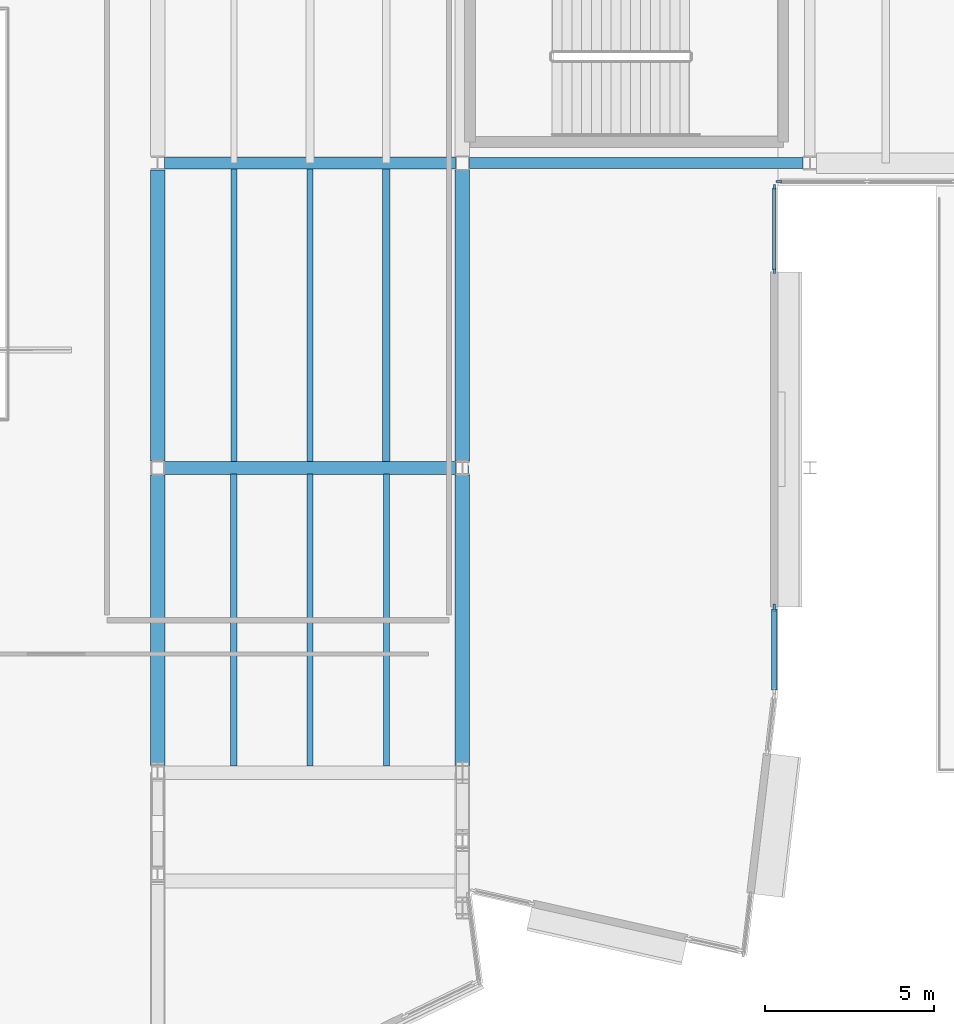
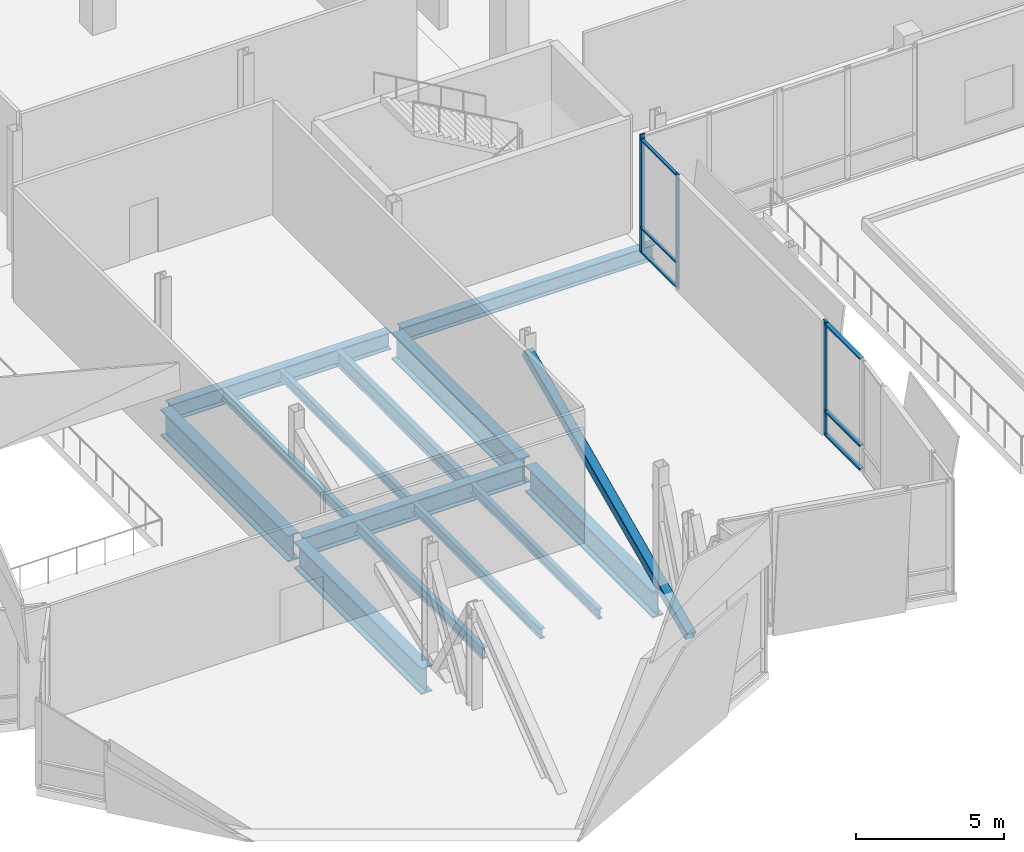
# One storey, part 12 of 60: 13 beams, 11 members, 3 elements without a shape of their own.
"""IFC4 building model written with IfcOpenShell, lengths in metres."""

from ifc_helpers import new_model, si_unit, direction, frame, origin, origin_2d, place, context, subcontext, project, spatial, rectangle, hollow_rectangle, i_section, extrude, material, material_profile, profile_set, type_object, element, aggregate, save


model = new_model("IFC4")

# Units and contexts
model_context = context("Model", 3, precision=1e-05, world=origin(), true_north=direction((0.0, 1.0)))
body_context = subcontext(model_context, "Body", "Model", "MODEL_VIEW")
ifc_project = project(units=[si_unit("LENGTHUNIT", "METRE"), si_unit("AREAUNIT", "SQUARE_METRE"), si_unit("VOLUMEUNIT", "CUBIC_METRE"), si_unit("PLANEANGLEUNIT", "RADIAN"), si_unit("MASSUNIT", "GRAM", prefix="KILO")], contexts=[model_context])

# Site, building, storey
site_placement = place(None, origin())
site = spatial("IfcSite", under=ifc_project, at=site_placement, CompositionType="ELEMENT")
building_placement = place(site_placement, origin())
building = spatial("IfcBuilding", under=site, at=building_placement, Name="Trimount Lyric Opera House", CompositionType="ELEMENT")
storey_placement = place(building_placement, frame((0.0, 0.0, 15.0)))
storey = spatial("IfcBuildingStorey", under=building, at=storey_placement, Name="L03", CompositionType="ELEMENT", Elevation=15.0)

# Beams
ifc_material_1 = material(Name="Steel ASTM A992 Grade 50", Category="steel")
ifc_material_profile_1 = material_profile(ifc_material_1, i_section(OverallWidth=0.382080078125, OverallDepth=0.779052734375, WebThickness=0.01806640625, FlangeThickness=0.0302734375, FilletRadius=0.01904296875, at=origin_2d()), Name="W30X191")
ifc_profile_set_1 = profile_set([ifc_material_profile_1], Name="Steel ASTM A992 Grade 50")
beam_type_1 = type_object("IfcBeamType", Name="B-06", PredefinedType="BEAM", material=ifc_profile_set_1)
beam_1_placement = place(storey_placement, frame((45.203125, 35.0, -0.714599609375), z_axis=(1.0, 0.0, 0.0), x_axis=(0.0, 1.0, 0.0)))
element("IfcBeam", 1, at=beam_1_placement, inside=storey, type_object=beam_type_1, Name="L03 girder X-0941", PredefinedType="BEAM", context=body_context, shape_type="SweptSolid", body=[
    extrude(i_section(OverallWidth=0.382080078125, OverallDepth=0.779052734375, WebThickness=0.01806640625, FlangeThickness=0.0302734375, FilletRadius=0.01904296875, at=origin_2d()), origin(), (0.0, 0.0, 1.0), 8.593994140625),
])
ifc_material_2 = material(Name="Steel ASTM A992 Grade 50", Category="steel")
ifc_material_profile_2 = material_profile(ifc_material_2, i_section(OverallWidth=0.35595703125, OverallDepth=0.700927734375, WebThickness=0.016845703125, FlangeThickness=0.02734375, FilletRadius=0.01806640625, at=origin_2d()), Name="W27X161")
ifc_profile_set_2 = profile_set([ifc_material_profile_2], Name="Steel ASTM A992 Grade 50")
beam_type_2 = type_object("IfcBeamType", Name="B-08", PredefinedType="BEAM", material=ifc_profile_set_2)
beam_2_placement = place(storey_placement, frame((45.202880859375, 44.0, -0.675537109375), z_axis=(1.0, 0.0, 0.0), x_axis=(0.0, 1.0, 0.0)))
element("IfcBeam", 2, at=beam_2_placement, inside=storey, type_object=beam_type_2, Name="L03 girder X-0942", PredefinedType="BEAM", context=body_context, shape_type="SweptSolid", body=[
    extrude(i_section(OverallWidth=0.35595703125, OverallDepth=0.700927734375, WebThickness=0.016845703125, FlangeThickness=0.02734375, FilletRadius=0.01806640625, at=origin_2d()), origin(), (0.0, 0.0, 1.0), 8.593994140625),
])
ifc_material_3 = material(Name="Steel ASTM A992 Grade 50", Category="steel")
ifc_material_profile_3 = material_profile(ifc_material_3, i_section(OverallWidth=0.327880859375, OverallDepth=0.626953125, WebThickness=0.0166015625, FlangeThickness=0.027587890625, FilletRadius=0.01611328125, at=origin_2d()), Name="W24X146")
ifc_profile_set_3 = profile_set([ifc_material_profile_3], Name="Steel ASTM A992 Grade 50")
beam_type_3 = type_object("IfcBeamType", Name="B-10", PredefinedType="BEAM", material=ifc_profile_set_3)
beam_3_placement = place(storey_placement, frame((54.203125, 44.0, -0.638427734375), z_axis=(1.0, 0.0, 0.0), x_axis=(0.0, 1.0, 0.0)))
element("IfcBeam", 3, at=beam_3_placement, inside=storey, type_object=beam_type_3, Name="L03 girder X-0943", PredefinedType="BEAM", context=body_context, shape_type="SweptSolid", body=[
    extrude(i_section(OverallWidth=0.327880859375, OverallDepth=0.626953125, WebThickness=0.0166015625, FlangeThickness=0.027587890625, FilletRadius=0.01611328125, at=origin_2d()), origin(), (0.0, 0.0, 1.0), 9.853759765625),
])

# Member
ifc_material_4 = material(Name="Steel ASTM A500 Grade C", Category="steel")
ifc_material_profile_4 = material_profile(ifc_material_4, hollow_rectangle(XDim=0.355712890625, YDim=0.355712890625, WallThickness=0.014892578125, InnerFilletRadius=0.01513671875, OuterFilletRadius=0.030029296875, at=origin_2d()), Name="HSS355.6X355.6X15.9")
ifc_profile_set_4 = profile_set([ifc_material_profile_4], Name="Steel ASTM A500 Grade C")
member_type_1 = type_object("IfcMemberType", Name="BR-01", PredefinedType="BRACE", material=ifc_profile_set_4)
member_1_placement = place(storey_placement, frame((54.0, 35.0, 4.154052734375), z_axis=(0.0, -0.909581532089, -0.415525494384), x_axis=(1.0, 0.0, 0.0)))
element("IfcMember", 4, at=member_1_placement, inside=storey, type_object=member_type_1, Name="L03 crystal truss 3 back-span tie-back brace", PredefinedType="BRACE", context=body_context, shape_type="SweptSolid", body=[
    extrude(hollow_rectangle(XDim=0.355712890625, YDim=0.355712890625, WallThickness=0.014892578125, InnerFilletRadius=0.01513671875, OuterFilletRadius=0.030029296875, at=origin_2d()), origin(), (0.0, 0.0, 1.0), 12.093505859375),
])

# Beams
ifc_material_5 = material(Name="Steel ASTM A992 Grade 50", Category="steel")
ifc_material_profile_5 = material_profile(ifc_material_5, i_section(OverallWidth=0.22802734375, OverallDepth=0.60205078125, WebThickness=0.010498046875, FlangeThickness=0.014892578125, FilletRadius=0.012939453125, at=origin_2d()), Name="W24X68")
ifc_profile_set_5 = profile_set([ifc_material_profile_5], Name="Steel ASTM A992 Grade 50")
beam_type_4 = type_object("IfcBeamType", Name="J-01", PredefinedType="BEAM", material=ifc_profile_set_5)
beam_4_placement = place(storey_placement, frame((51.75, 35.18701171875, -0.6259765625), z_axis=(0.0, 1.0, 0.0), x_axis=(-1.0, 0.0, 0.0)))
element("IfcBeam", 5, at=beam_4_placement, inside=storey, type_object=beam_type_4, Name="L03 composite floor joist 1034", PredefinedType="BEAM", context=body_context, shape_type="SweptSolid", body=[
    extrude(i_section(OverallWidth=0.22802734375, OverallDepth=0.60205078125, WebThickness=0.010498046875, FlangeThickness=0.014892578125, FilletRadius=0.012939453125, at=origin_2d()), origin(), (0.0, 0.0, 1.0), 8.638916015625),
])
ifc_material_6 = material(Name="Steel ASTM A992 Grade 50", Category="steel")
ifc_material_profile_6 = material_profile(ifc_material_6, i_section(OverallWidth=0.19091796875, OverallDepth=0.45703125, WebThickness=0.009033203125, FlangeThickness=0.014404296875, FilletRadius=0.010986328125, at=origin_2d()), Name="W18X50")
ifc_profile_set_6 = profile_set([ifc_material_profile_6], Name="Steel ASTM A992 Grade 50")
beam_type_5 = type_object("IfcBeamType", Name="J-04", PredefinedType="BEAM", material=ifc_profile_set_6)
beam_5_placement = place(storey_placement, frame((47.25, 26.196533203125, -0.553466796875), z_axis=(0.0, 1.0, 0.0), x_axis=(-1.0, 0.0, 0.0)))
element("IfcBeam", 6, at=beam_5_placement, inside=storey, type_object=beam_type_5, Name="L03 composite floor joist 1029", PredefinedType="BEAM", context=body_context, shape_type="SweptSolid", body=[
    extrude(i_section(OverallWidth=0.19091796875, OverallDepth=0.45703125, WebThickness=0.009033203125, FlangeThickness=0.014404296875, FilletRadius=0.010986328125, at=origin_2d()), origin(), (0.0, 0.0, 1.0), 8.616455078125),
])
ifc_material_7 = material(Name="Steel ASTM A992 Grade 50", Category="steel")
ifc_material_profile_7 = material_profile(ifc_material_7, i_section(OverallWidth=0.180908203125, OverallDepth=0.4169921875, WebThickness=0.010986328125, FlangeThickness=0.018310546875, FilletRadius=0.010986328125, at=origin_2d()), Name="W16X57")
ifc_profile_set_7 = profile_set([ifc_material_profile_7], Name="Steel ASTM A992 Grade 50")
beam_type_6 = type_object("IfcBeamType", Name="J-05", PredefinedType="BEAM", material=ifc_profile_set_7)
beam_6_placement = place(storey_placement, frame((49.5, 26.196533203125, -0.533447265625), z_axis=(0.0, 1.0, 0.0), x_axis=(-1.0, 0.0, 0.0)))
element("IfcBeam", 7, at=beam_6_placement, inside=storey, type_object=beam_type_6, Name="L03 composite floor joist 1030", PredefinedType="BEAM", context=body_context, shape_type="SweptSolid", body=[
    extrude(i_section(OverallWidth=0.180908203125, OverallDepth=0.4169921875, WebThickness=0.010986328125, FlangeThickness=0.018310546875, FilletRadius=0.010986328125, at=origin_2d()), origin(), (0.0, 0.0, 1.0), 8.616455078125),
])
beam_7_placement = place(storey_placement, frame((47.25, 35.18701171875, -0.533447265625), z_axis=(0.0, 1.0, 0.0), x_axis=(-1.0, 0.0, 0.0)))
element("IfcBeam", 8, at=beam_7_placement, inside=storey, type_object=beam_type_6, Name="L03 composite floor joist 1032", PredefinedType="BEAM", context=body_context, shape_type="SweptSolid", body=[
    extrude(i_section(OverallWidth=0.180908203125, OverallDepth=0.4169921875, WebThickness=0.010986328125, FlangeThickness=0.018310546875, FilletRadius=0.010986328125, at=origin_2d()), origin(), (0.0, 0.0, 1.0), 8.638916015625),
])
ifc_material_8 = material(Name="Steel ASTM A992 Grade 50", Category="steel")
ifc_material_profile_8 = material_profile(ifc_material_8, i_section(OverallWidth=0.177978515625, OverallDepth=0.404052734375, WebThickness=0.007568359375, FlangeThickness=0.010986328125, FilletRadius=0.010009765625, at=origin_2d()), Name="W16X36")
ifc_profile_set_8 = profile_set([ifc_material_profile_8], Name="Steel ASTM A992 Grade 50")
beam_type_7 = type_object("IfcBeamType", Name="J-06", PredefinedType="BEAM", material=ifc_profile_set_8)
beam_8_placement = place(storey_placement, frame((51.75, 26.196533203125, -0.527099609375), z_axis=(0.0, 1.0, 0.0), x_axis=(-1.0, 0.0, 0.0)))
element("IfcBeam", 9, at=beam_8_placement, inside=storey, type_object=beam_type_7, Name="L03 composite floor joist 1031", PredefinedType="BEAM", context=body_context, shape_type="SweptSolid", body=[
    extrude(i_section(OverallWidth=0.177978515625, OverallDepth=0.404052734375, WebThickness=0.007568359375, FlangeThickness=0.010986328125, FilletRadius=0.010009765625, at=origin_2d()), origin(), (0.0, 0.0, 1.0), 8.616455078125),
])
beam_9_placement = place(storey_placement, frame((49.5, 35.18701171875, -0.527099609375), z_axis=(0.0, 1.0, 0.0), x_axis=(-1.0, 0.0, 0.0)))
element("IfcBeam", 10, at=beam_9_placement, inside=storey, type_object=beam_type_7, Name="L03 composite floor joist 1033", PredefinedType="BEAM", context=body_context, shape_type="SweptSolid", body=[
    extrude(i_section(OverallWidth=0.177978515625, OverallDepth=0.404052734375, WebThickness=0.007568359375, FlangeThickness=0.010986328125, FilletRadius=0.010009765625, at=origin_2d()), origin(), (0.0, 0.0, 1.0), 8.638916015625),
])

# Curtain wall, member
ifc_material_9 = material(Name="Thermally Broken Aluminium and Low-E Glass", Category="aluminium")
curtain_wall_type_1 = type_object("IfcCurtainWallType", Name="CW-02", PredefinedType="NOTDEFINED", material=ifc_material_9)
curtain_wall_1_placement = place(storey_placement, origin())
curtain_wall_1 = element("IfcCurtainWall", 11, at=curtain_wall_1_placement, inside=storey, type_object=curtain_wall_type_1, Name="L03 crystal fold glazed slit 264", PredefinedType="NOTDEFINED")
ifc_material_10 = material(Name="Anodised Aluminium 6063-T6", Category="aluminium")
ifc_material_profile_9 = material_profile(ifc_material_10, rectangle(XDim=0.070068359375, YDim=0.219970703125, at=origin_2d()), Name="ALU-MULL-70X220")
ifc_profile_set_9 = profile_set([ifc_material_profile_9], Name="Anodised Aluminium 6063-T6")
member_type_2 = type_object("IfcMemberType", Name="ML-01", PredefinedType="MULLION", material=ifc_profile_set_9)
member_2_placement = place(storey_placement, frame((63.2099609375, 30.864013671875, 0.0), z_axis=(0.0, 0.0, 1.0), x_axis=(1.0, 0.0, 0.0)))
member_2 = element("IfcMember", 12, at=member_2_placement, type_object=member_type_2, Name="CW-02 mullion 1", PredefinedType="MULLION", context=body_context, shape_type="SweptSolid", body=[
    extrude(rectangle(XDim=0.070068359375, YDim=0.219970703125, at=origin_2d()), origin(), (0.0, 0.0, 1.0), 4.719970703125),
])

ifc_material_11 = material(Name="Thermally Broken Aluminium and Low-E Glass", Category="aluminium")
curtain_wall_type_2 = type_object("IfcCurtainWallType", Name="CW-05", PredefinedType="NOTDEFINED", material=ifc_material_11)
curtain_wall_2_placement = place(storey_placement, origin())
curtain_wall_2 = element("IfcCurtainWall", 13, at=curtain_wall_2_placement, inside=storey, type_object=curtain_wall_type_2, Name="L03 curtain wall 262", PredefinedType="NOTDEFINED")
ifc_material_12 = material(Name="Anodised Aluminium 6063-T6", Category="aluminium")
ifc_material_profile_10 = material_profile(ifc_material_12, rectangle(XDim=0.06494140625, YDim=0.179931640625, at=origin_2d()), Name="ALU-MULL-65X180")
ifc_profile_set_10 = profile_set([ifc_material_profile_10], Name="Anodised Aluminium 6063-T6")
member_type_3 = type_object("IfcMemberType", Name="ML-02", PredefinedType="MULLION", material=ifc_profile_set_10)
member_3_placement = place(storey_placement, frame((63.3525390625, 43.4599609375, 0.0), z_axis=(0.0, 0.0, 1.0), x_axis=(0.0, -1.0, 0.0)))
member_3 = element("IfcMember", 14, at=member_3_placement, type_object=member_type_3, Name="CW-05 mullion 3", PredefinedType="MULLION", context=body_context, shape_type="SweptSolid", body=[
    extrude(rectangle(XDim=0.06494140625, YDim=0.179931640625, at=origin_2d()), origin(), (0.0, 0.0, 1.0), 4.719970703125),
])
aggregate(curtain_wall_2, [member_3])

# Curtain wall, members
curtain_wall_3_placement = place(storey_placement, origin())
curtain_wall_3 = element("IfcCurtainWall", 15, at=curtain_wall_3_placement, inside=storey, type_object=curtain_wall_type_1, Name="L03 crystal fold glazed slit 263", PredefinedType="NOTDEFINED")
ifc_material_13 = material(Name="Anodised Aluminium 6063-T6", Category="aluminium")
ifc_material_profile_11 = material_profile(ifc_material_13, rectangle(XDim=0.06005859375, YDim=0.14990234375, at=origin_2d()), Name="ALU-MULL-60X150")
ifc_profile_set_11 = profile_set([ifc_material_profile_11], Name="Anodised Aluminium 6063-T6")
member_type_4 = type_object("IfcMemberType", Name="ML-03", PredefinedType="MULLION", material=ifc_profile_set_11)
member_4_placement = place(storey_placement, frame((63.2099609375, 43.2900390625, 0.0), z_axis=(0.0, 0.0, 1.0), x_axis=(1.0, 0.0, 0.0)))
member_4 = element("IfcMember", 16, at=member_4_placement, type_object=member_type_4, Name="CW-02 mullion 1", PredefinedType="MULLION", context=body_context, shape_type="SweptSolid", body=[
    extrude(rectangle(XDim=0.06005859375, YDim=0.14990234375, at=origin_2d()), origin(), (0.0, 0.0, 1.0), 4.719970703125),
])
member_5_placement = place(storey_placement, frame((63.2099609375, 40.820068359375, 0.0), z_axis=(0.0, 0.0, 1.0), x_axis=(1.0, 0.0, 0.0)))
member_5 = element("IfcMember", 17, at=member_5_placement, type_object=member_type_4, Name="CW-02 mullion 2", PredefinedType="MULLION", context=body_context, shape_type="SweptSolid", body=[
    extrude(rectangle(XDim=0.06005859375, YDim=0.14990234375, at=origin_2d()), origin(), (0.0, 0.0, 1.0), 4.719970703125),
])

# Beams
ifc_material_14 = material(Name="Steel ASTM A992 Grade 50", Category="steel")
ifc_material_profile_12 = material_profile(ifc_material_14, i_section(OverallWidth=0.427001953125, OverallDepth=1.092041015625, WebThickness=0.031005859375, FlangeThickness=0.055908203125, FilletRadius=0.02490234375, at=origin_2d()), Name="W40X397")
ifc_profile_set_12 = profile_set([ifc_material_profile_12], Name="Steel ASTM A992 Grade 50")
beam_type_8 = type_object("IfcBeamType", Name="TG-02", PredefinedType="USERDEFINED", material=ifc_profile_set_12)
for number, where, z_axis, x_axis, name in (
    (18, (45.0, 26.20849609375, -0.87109375), (0.0, 1.0, 0.0), (-1.0, 0.0, 0.0), "L03 girder Y-1054"),
    (19, (45.0, 35.203125, -0.87109375), (0.0, 1.0, 0.0), (-1.0, 0.0, 0.0), "L03 girder Y-1055"),
    (20, (54.0, 26.203125, -0.87109375), (0.0, 1.0, 0.0), (-1.0, 0.0, 0.0), "L03 girder Y-1064"),
    (21, (54.0, 35.20849609375, -0.87109375), (0.0, 1.0, 0.0), (-1.0, 0.0, 0.0), "L03 girder Y-1065"),
):
    element("IfcBeam", number, at=place(storey_placement, frame(where, z_axis=z_axis, x_axis=x_axis)), inside=storey, type_object=beam_type_8, Name=name, ObjectType="TRANSFER_GIRDER", PredefinedType="USERDEFINED", context=body_context, shape_type="SweptSolid", body=[
        extrude(i_section(OverallWidth=0.427001953125, OverallDepth=1.092041015625, WebThickness=0.031005859375, FlangeThickness=0.055908203125, FilletRadius=0.02490234375, at=origin_2d()), origin(), (0.0, 0.0, 1.0), 8.58837890625),
    ])

# Member
ifc_material_15 = material(Name="Anodised Aluminium 6063-T6", Category="aluminium")
ifc_material_profile_13 = material_profile(ifc_material_15, rectangle(XDim=0.159912109375, YDim=0.070068359375, at=origin_2d()), Name="ALU-TRAN-70X160")
ifc_profile_set_13 = profile_set([ifc_material_profile_13], Name="Anodised Aluminium 6063-T6")
member_type_5 = type_object("IfcMemberType", Name="TR-01", PredefinedType="USERDEFINED", material=ifc_profile_set_13)
member_6_placement = place(storey_placement, frame((63.2099609375, 30.8291015625, 0.080078125), z_axis=(0.0, -1.0, 0.0), x_axis=(1.0, 0.0, 0.0)))
member_6 = element("IfcMember", 22, at=member_6_placement, type_object=member_type_5, Name="CW-02 transom 1.1", ObjectType="TRANSOM", PredefinedType="USERDEFINED", context=body_context, shape_type="SweptSolid", body=[
    extrude(rectangle(XDim=0.159912109375, YDim=0.070068359375, at=origin_2d()), origin(), (0.0, 0.0, 1.0), 2.39013671875),
])

member_7_placement = place(storey_placement, frame((63.2099609375, 30.8291015625, 1.050048828125), z_axis=(0.0, -1.0, 0.0), x_axis=(1.0, 0.0, 0.0)))
member_7 = element("IfcMember", 23, at=member_7_placement, type_object=member_type_5, Name="CW-02 transom 1.2", ObjectType="TRANSOM", PredefinedType="USERDEFINED", context=body_context, shape_type="SweptSolid", body=[
    extrude(rectangle(XDim=0.159912109375, YDim=0.070068359375, at=origin_2d()), origin(), (0.0, 0.0, 1.0), 2.39013671875),
])

member_8_placement = place(storey_placement, frame((63.2099609375, 30.8291015625, 4.639892578125), z_axis=(0.0, -1.0, 0.0), x_axis=(1.0, 0.0, 0.0)))
member_8 = element("IfcMember", 24, at=member_8_placement, type_object=member_type_5, Name="CW-02 transom 1.3", ObjectType="TRANSOM", PredefinedType="USERDEFINED", context=body_context, shape_type="SweptSolid", body=[
    extrude(rectangle(XDim=0.159912109375, YDim=0.070068359375, at=origin_2d()), origin(), (0.0, 0.0, 1.0), 2.39013671875),
])

aggregate(curtain_wall_1, [member_2, member_6, member_7, member_8])

ifc_material_16 = material(Name="Anodised Aluminium 6063-T6", Category="aluminium")
ifc_material_profile_14 = material_profile(ifc_material_16, rectangle(XDim=0.114990234375, YDim=0.06005859375, at=origin_2d()), Name="ALU-TRAN-60X115")
ifc_profile_set_14 = profile_set([ifc_material_profile_14], Name="Anodised Aluminium 6063-T6")
member_type_6 = type_object("IfcMemberType", Name="TR-03", PredefinedType="USERDEFINED", material=ifc_profile_set_14)
member_9_placement = place(storey_placement, frame((63.2099609375, 43.260009765625, 0.0576171875), z_axis=(0.0, -1.0, 0.0), x_axis=(1.0, 0.0, 0.0)))
member_9 = element("IfcMember", 25, at=member_9_placement, type_object=member_type_6, Name="CW-02 transom 1.1", ObjectType="TRANSOM", PredefinedType="USERDEFINED", context=body_context, shape_type="SweptSolid", body=[
    extrude(rectangle(XDim=0.114990234375, YDim=0.06005859375, at=origin_2d()), origin(), (0.0, 0.0, 1.0), 2.409912109375),
])

member_10_placement = place(storey_placement, frame((63.2099609375, 43.260009765625, 1.050048828125), z_axis=(0.0, -1.0, 0.0), x_axis=(1.0, 0.0, 0.0)))
member_10 = element("IfcMember", 26, at=member_10_placement, type_object=member_type_6, Name="CW-02 transom 1.2", ObjectType="TRANSOM", PredefinedType="USERDEFINED", context=body_context, shape_type="SweptSolid", body=[
    extrude(rectangle(XDim=0.114990234375, YDim=0.06005859375, at=origin_2d()), origin(), (0.0, 0.0, 1.0), 2.409912109375),
])

member_11_placement = place(storey_placement, frame((63.2099609375, 43.260009765625, 4.66259765625), z_axis=(0.0, -1.0, 0.0), x_axis=(1.0, 0.0, 0.0)))
member_11 = element("IfcMember", 27, at=member_11_placement, type_object=member_type_6, Name="CW-02 transom 1.3", ObjectType="TRANSOM", PredefinedType="USERDEFINED", context=body_context, shape_type="SweptSolid", body=[
    extrude(rectangle(XDim=0.114990234375, YDim=0.06005859375, at=origin_2d()), origin(), (0.0, 0.0, 1.0), 2.409912109375),
])

aggregate(curtain_wall_3, [member_4, member_5, member_9, member_10, member_11])

save(model, "model.ifc")
